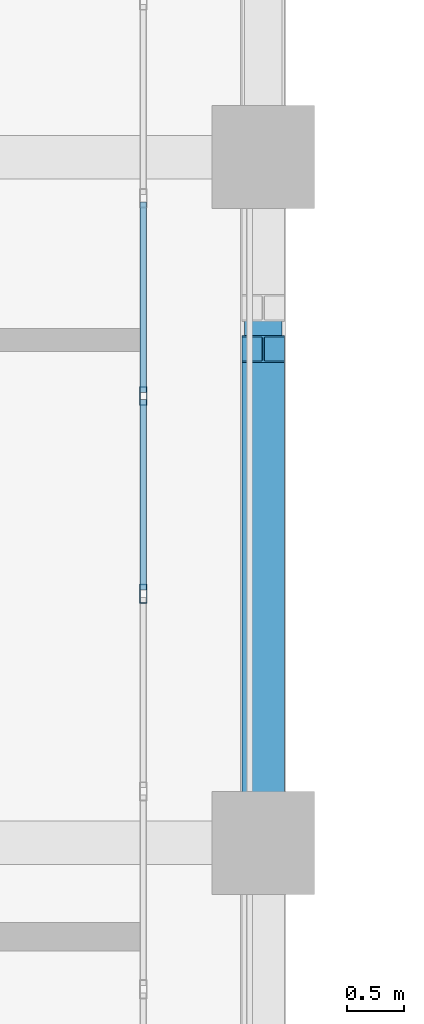
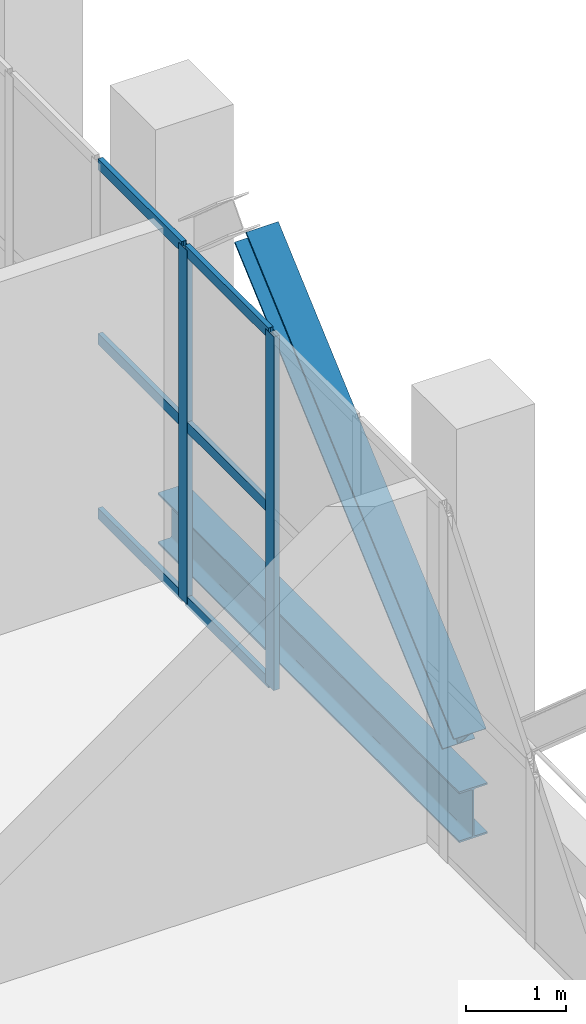
# One storey, part 11 of 26: 9 members, 1 beam, 1 element without a shape of its own.
"""IFC4 building model written with IfcOpenShell, lengths in metres."""

from ifc_helpers import new_model, si_unit, direction, frame, origin, origin_2d, place, context, subcontext, project, spatial, hollow_rectangle, i_section, extrude, material, layer, layer_set, material_profile, profile_set, type_object, element, aggregate, save


model = new_model("IFC4")

# Units and contexts
model_context = context("Model", 3, precision=1e-05, world=origin(), true_north=direction((0.0, 1.0)))
body_context = subcontext(model_context, "Body", "Model", "MODEL_VIEW")
ifc_project = project(units=[si_unit("LENGTHUNIT", "METRE"), si_unit("AREAUNIT", "SQUARE_METRE"), si_unit("VOLUMEUNIT", "CUBIC_METRE"), si_unit("PLANEANGLEUNIT", "RADIAN"), si_unit("MASSUNIT", "GRAM", prefix="KILO")], contexts=[model_context])

# Site, building, storey
site_placement = place(None, origin())
site = spatial("IfcSite", under=ifc_project, at=site_placement, CompositionType="ELEMENT")
building_placement = place(site_placement, origin())
building = spatial("IfcBuilding", under=site, at=building_placement, Name="Mawjdan Bourse Tower", CompositionType="ELEMENT")
storey_placement = place(building_placement, frame((0.0, 0.0, 226.800048828125)))
storey = spatial("IfcBuildingStorey", under=building, at=storey_placement, Name="L55", CompositionType="ELEMENT", Elevation=226.800048828125)

# Member
ifc_material_1 = material(Name="Structural Steel S460", Category="steel")
ifc_material_profile_1 = material_profile(ifc_material_1, i_section(OverallWidth=0.3701171875, OverallDepth=0.360107421875, WebThickness=0.01220703125, FlangeThickness=0.019775390625, FilletRadius=0.015869140625, at=origin_2d()), Name="W14X99")
ifc_profile_set_1 = profile_set([ifc_material_profile_1], Name="Structural Steel S460")
member_type_1 = type_object("IfcMemberType", Name="BRC-W14X99", PredefinedType="BRACE", material=ifc_profile_set_1)
member_1_placement = place(storey_placement, frame((24.0, 30.179931640625, 0.199951171875), z_axis=(0.0, 0.750121779504, 0.661299717159), x_axis=(-1.0, 0.0, 0.0)))
element("IfcMember", 1, at=member_1_placement, inside=storey, type_object=member_type_1, Name="L55 North Wing Perimeter Belt Truss Diagonal 3", PredefinedType="BRACE", context=body_context, shape_type="SweptSolid", body=[
    extrude(i_section(OverallWidth=0.3701171875, OverallDepth=0.360107421875, WebThickness=0.01220703125, FlangeThickness=0.019775390625, FilletRadius=0.015869140625, at=origin_2d()), origin(), (0.0, 0.0, 1.0), 5.519287109375),
])

# Curtain wall, members
ifc_material_2 = material(Name="Thermally Broken Aluminium and Solar Glass", Category="aluminium")
ifc_layer = layer(ifc_material_2, 0.219970703125)
ifc_layer_set = layer_set([ifc_layer], Name="Thermally Broken Aluminium and Solar Glass")
curtain_wall_type = type_object("IfcCurtainWallType", Name="CW-RFG", PredefinedType="USERDEFINED", material=ifc_layer_set)
curtain_wall_placement = place(storey_placement, origin())
curtain_wall = element("IfcCurtainWall", 2, at=curtain_wall_placement, inside=storey, type_object=curtain_wall_type, Name="L55 Refuge Band North-Wing Louvre Curtain Wall", ObjectType="REFUGE BAND LOUVRE SCREEN", PredefinedType="USERDEFINED")
ifc_material_3 = material(Name="Thermally Broken Anodised Aluminium", Category="aluminium")
ifc_material_profile_2 = material_profile(ifc_material_3, hollow_rectangle(XDim=0.06494140625, YDim=0.1650390625, WallThickness=0.00390625, at=origin_2d()), Name="ALU-MUL-165X65")
ifc_profile_set_2 = profile_set([ifc_material_profile_2], Name="Thermally Broken Anodised Aluminium")
member_type_2 = type_object("IfcMemberType", Name="MUL-ALU-MUL-165X65", PredefinedType="MULLION", material=ifc_profile_set_2)
member_2_placement = place(storey_placement, frame((22.949951171875, 32.179931640625, 0.0), z_axis=(0.0, 0.0, 1.0), x_axis=(-1.0, 0.0, 0.0)))
member_2 = element("IfcMember", 3, at=member_2_placement, type_object=member_type_2, Name="CW-RFG-L55-RFG-W mullion 7", PredefinedType="MULLION", context=body_context, shape_type="SweptSolid", body=[
    extrude(hollow_rectangle(XDim=0.06494140625, YDim=0.1650390625, WallThickness=0.00390625, at=origin_2d()), origin(), (0.0, 0.0, 1.0), 4.300048828125),
])
member_3_placement = place(storey_placement, frame((22.949951171875, 33.909912109375, 0.0), z_axis=(0.0, 0.0, 1.0), x_axis=(-1.0, 0.0, 0.0)))
member_3 = element("IfcMember", 4, at=member_3_placement, type_object=member_type_2, Name="CW-RFG-L55-RFG-W mullion 8", PredefinedType="MULLION", context=body_context, shape_type="SweptSolid", body=[
    extrude(hollow_rectangle(XDim=0.06494140625, YDim=0.1650390625, WallThickness=0.00390625, at=origin_2d()), origin(), (0.0, 0.0, 1.0), 4.300048828125),
])

# Beam
ifc_material_4 = material(Name="Structural Steel S355", Category="steel")
ifc_material_profile_3 = material_profile(ifc_material_4, i_section(OverallWidth=0.324951171875, OverallDepth=0.616943359375, WebThickness=0.013916015625, FlangeThickness=0.021484375, FilletRadius=0.017333984375, at=origin_2d()), Name="W24X117")
ifc_profile_set_3 = profile_set([ifc_material_profile_3], Name="Structural Steel S355")
beam_type = type_object("IfcBeamType", Name="SPN-W24X117", PredefinedType="SPANDREL", material=ifc_profile_set_3)
beam_placement = place(storey_placement, frame((24.0, 30.0, -0.588623046875), z_axis=(0.0, 1.0, 0.0), x_axis=(-1.0, 0.0, 0.0)))
element("IfcBeam", 5, at=beam_placement, inside=storey, type_object=beam_type, Name="L55 North Wing Spandrel 057", PredefinedType="SPANDREL", context=body_context, shape_type="SweptSolid", body=[
    extrude(i_section(OverallWidth=0.324951171875, OverallDepth=0.616943359375, WebThickness=0.013916015625, FlangeThickness=0.021484375, FilletRadius=0.017333984375, at=origin_2d()), origin(), (0.0, 0.0, 1.0), 6.0),
])

# Member
ifc_material_profile_4 = material_profile(ifc_material_3, hollow_rectangle(XDim=0.054931640625, YDim=0.1298828125, WallThickness=0.00341796875, at=origin_2d()), Name="ALU-TRN-130X55")
ifc_profile_set_4 = profile_set([ifc_material_profile_4], Name="Thermally Broken Anodised Aluminium")
member_type_3 = type_object("IfcMemberType", Name="TRN-ALU-TRN-130X55", PredefinedType="USERDEFINED", material=ifc_profile_set_4)
member_4_placement = place(storey_placement, frame((22.949951171875, 32.21240234375, 0.02734375), z_axis=(0.0, 1.0, 0.0), x_axis=(-1.0, 0.0, 0.0)))
member_4 = element("IfcMember", 6, at=member_4_placement, type_object=member_type_3, Name="CW-RFG-L55-RFG-W transom 7.1", ObjectType="TRANSOM", PredefinedType="USERDEFINED", context=body_context, shape_type="SweptSolid", body=[
    extrude(hollow_rectangle(XDim=0.054931640625, YDim=0.1298828125, WallThickness=0.00341796875, at=origin_2d()), origin(), (0.0, 0.0, 1.0), 1.6650390625),
])

member_5_placement = place(storey_placement, frame((22.949951171875, 32.21240234375, 2.14990234375), z_axis=(0.0, 1.0, 0.0), x_axis=(-1.0, 0.0, 0.0)))
member_5 = element("IfcMember", 7, at=member_5_placement, type_object=member_type_3, Name="CW-RFG-L55-RFG-W transom 7.2", ObjectType="TRANSOM", PredefinedType="USERDEFINED", context=body_context, shape_type="SweptSolid", body=[
    extrude(hollow_rectangle(XDim=0.054931640625, YDim=0.1298828125, WallThickness=0.00341796875, at=origin_2d()), origin(), (0.0, 0.0, 1.0), 1.6650390625),
])

member_6_placement = place(storey_placement, frame((22.949951171875, 32.21240234375, 4.2724609375), z_axis=(0.0, 1.0, 0.0), x_axis=(-1.0, 0.0, 0.0)))
member_6 = element("IfcMember", 8, at=member_6_placement, type_object=member_type_3, Name="CW-RFG-L55-RFG-W transom 7.3", ObjectType="TRANSOM", PredefinedType="USERDEFINED", context=body_context, shape_type="SweptSolid", body=[
    extrude(hollow_rectangle(XDim=0.054931640625, YDim=0.1298828125, WallThickness=0.00341796875, at=origin_2d()), origin(), (0.0, 0.0, 1.0), 1.6650390625),
])

member_7_placement = place(storey_placement, frame((22.949951171875, 33.9423828125, 0.02734375), z_axis=(0.0, 1.0, 0.0), x_axis=(-1.0, 0.0, 0.0)))
member_7 = element("IfcMember", 9, at=member_7_placement, type_object=member_type_3, Name="CW-RFG-L55-RFG-W transom 8.1", ObjectType="TRANSOM", PredefinedType="USERDEFINED", context=body_context, shape_type="SweptSolid", body=[
    extrude(hollow_rectangle(XDim=0.054931640625, YDim=0.1298828125, WallThickness=0.00341796875, at=origin_2d()), origin(), (0.0, 0.0, 1.0), 1.6650390625),
])

member_8_placement = place(storey_placement, frame((22.949951171875, 33.9423828125, 2.14990234375), z_axis=(0.0, 1.0, 0.0), x_axis=(-1.0, 0.0, 0.0)))
member_8 = element("IfcMember", 10, at=member_8_placement, type_object=member_type_3, Name="CW-RFG-L55-RFG-W transom 8.2", ObjectType="TRANSOM", PredefinedType="USERDEFINED", context=body_context, shape_type="SweptSolid", body=[
    extrude(hollow_rectangle(XDim=0.054931640625, YDim=0.1298828125, WallThickness=0.00341796875, at=origin_2d()), origin(), (0.0, 0.0, 1.0), 1.6650390625),
])

member_9_placement = place(storey_placement, frame((22.949951171875, 33.9423828125, 4.2724609375), z_axis=(0.0, 1.0, 0.0), x_axis=(-1.0, 0.0, 0.0)))
member_9 = element("IfcMember", 11, at=member_9_placement, type_object=member_type_3, Name="CW-RFG-L55-RFG-W transom 8.3", ObjectType="TRANSOM", PredefinedType="USERDEFINED", context=body_context, shape_type="SweptSolid", body=[
    extrude(hollow_rectangle(XDim=0.054931640625, YDim=0.1298828125, WallThickness=0.00341796875, at=origin_2d()), origin(), (0.0, 0.0, 1.0), 1.6650390625),
])

aggregate(curtain_wall, [member_2, member_3, member_4, member_5, member_6, member_7, member_8, member_9])

save(model, "model.ifc")
